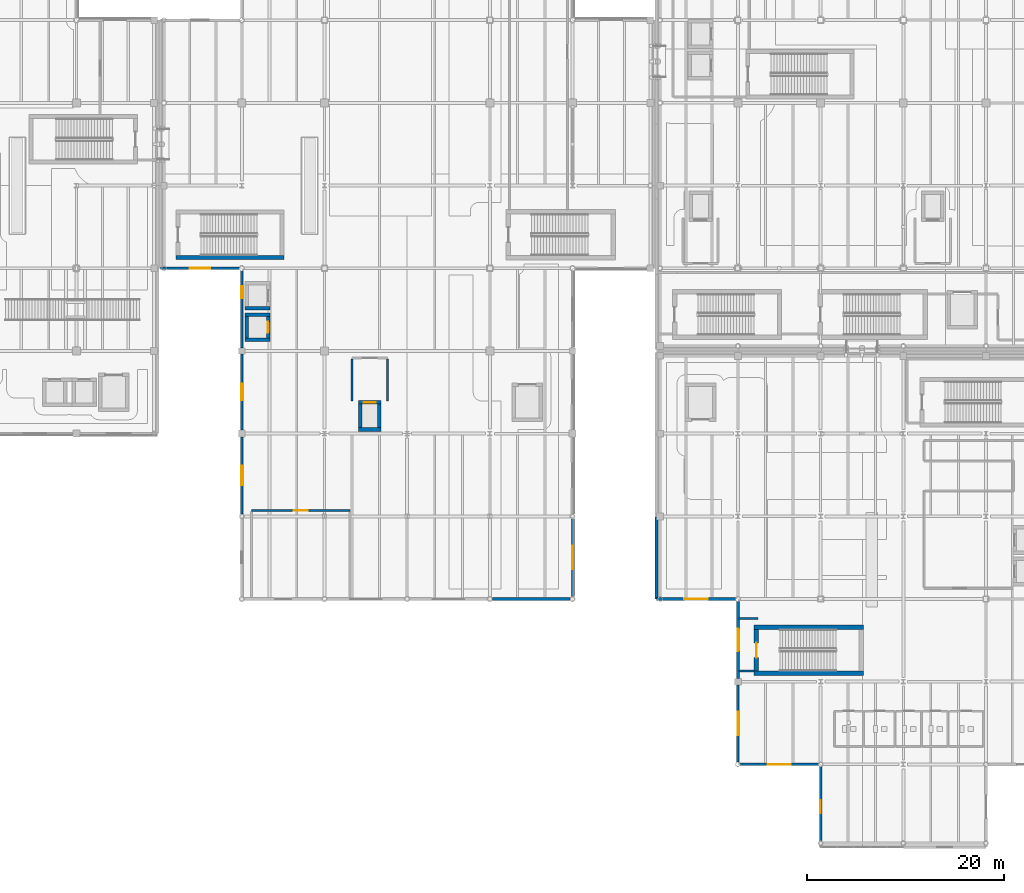
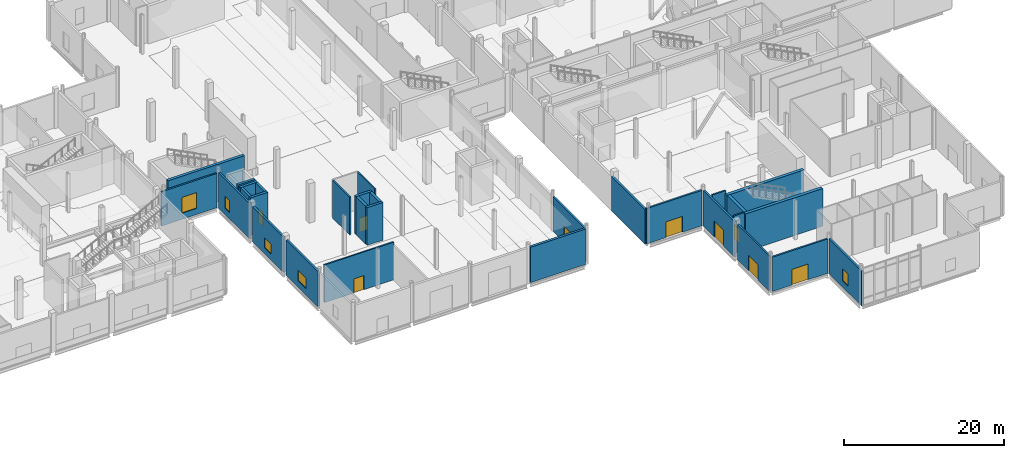
# One storey, part 45 of 85: 30 walls, 9 doors, 5 windows, 14 openings.
"""IFC4 building model written with IfcOpenShell, lengths in metres."""

from ifc_helpers import new_model, si_unit, direction, frame, frame_2d, origin, place, context, subcontext, project, spatial, rectangle, extrude, material, layer, layer_set, type_object, element, fill, save


model = new_model("IFC4")

# Units and contexts
model_context = context("Model", 3, precision=1e-05, world=origin(), true_north=direction((0.0, 1.0)))
body_context = subcontext(model_context, "Body", "Model", "MODEL_VIEW")
ifc_project = project(units=[si_unit("LENGTHUNIT", "METRE"), si_unit("AREAUNIT", "SQUARE_METRE"), si_unit("VOLUMEUNIT", "CUBIC_METRE"), si_unit("PLANEANGLEUNIT", "RADIAN"), si_unit("MASSUNIT", "GRAM", prefix="KILO"), si_unit("THERMODYNAMICTEMPERATUREUNIT", "KELVIN")], contexts=[model_context])

# Site, building, storey
site_placement = place(None, origin())
site = spatial("IfcSite", under=ifc_project, at=site_placement, CompositionType="ELEMENT")
building_placement = place(site_placement, origin())
building = spatial("IfcBuilding", under=site, at=building_placement, Name="Lustrewick Department Store", CompositionType="ELEMENT")
storey_placement = place(building_placement, origin())
storey = spatial("IfcBuildingStorey", under=building, at=storey_placement, Name="L01", CompositionType="ELEMENT", Elevation=0.0)

# Wall, opening, window
ifc_material_1 = material(Name="Precast concrete C40", Category="concrete")
ifc_layer_1 = layer(ifc_material_1, 0.239990234375, Name="Precast concrete C40")
ifc_layer_set_1 = layer_set([ifc_layer_1], Name="Precast concrete C40")
wall_type_1 = type_object("IfcWallType", Name="EW01", PredefinedType="STANDARD", material=ifc_layer_set_1)
wall_1_placement = place(storey_placement, frame((58.949951171875, 58.800048828125, 0.0), z_axis=(0.0, 0.0, 1.0), x_axis=(1.0, 0.0, 0.0)))
wall_1 = element("IfcWall", 1, at=wall_1_placement, inside=storey, type_object=wall_type_1, Name="L01 V2 Exterior Wall EW01", PredefinedType="STANDARD", context=body_context, shape_type="SweptSolid", body=[
    extrude(rectangle(XDim=8.0009765625, YDim=0.239990234375, at=frame_2d((4.00048828125, 0.0))), origin(), (0.0, 0.0, 1.0), 5.23095703125),
])
opening_1_placement = place(wall_1_placement, frame((2.950439453125, 0.0, 0.949951171875)))
opening_1 = element("IfcOpeningElement", 2, at=opening_1_placement, cuts=wall_1, Name="Opening WN17", PredefinedType="OPENING", context=body_context, shape_type="SweptSolid", body=[
    extrude(rectangle(XDim=2.10009765625, YDim=2.39990234375, at=frame_2d((1.050048828125, 1.199951171875))), frame((0.0, 0.1298828125, 0.0), z_axis=(0.0, -1.0, 0.0), x_axis=(1.0, 0.0, 0.0)), (0.0, 0.0, 1.0), 0.260009765625),
])
ifc_material_2 = material(Name="Thermally broken Low-E triple-glazed window", Category="glass")
window_type_1 = type_object("IfcWindowType", Name="WN17", PartitioningType="DOUBLE_PANEL_VERTICAL", PredefinedType="WINDOW", material=ifc_material_2)
window_1_placement = place(opening_1_placement, origin())
window_1 = element("IfcWindow", 3, at=window_1_placement, inside=storey, type_object=window_type_1, Name="L01 Art Nouveau Window WN17", OverallHeight=2.39990234375, OverallWidth=2.10009765625, PartitioningType="SINGLE_PANEL", PredefinedType="WINDOW", context=body_context, shape_type="SweptSolid", body=[
    extrude(rectangle(XDim=2.10009765625, YDim=2.39990234375, at=frame_2d((1.050048828125, 1.199951171875))), frame((0.0, 0.030029296875, 0.0), z_axis=(0.0, -1.0, 0.0), x_axis=(1.0, 0.0, 0.0)), (0.0, 0.0, 1.0), 0.06005859375),
])
fill(opening_1, window_1)

# Wall, opening, door
wall_2_placement = place(storey_placement, frame((117.60009765625, 16.455078125, 0.0), z_axis=(0.0, 0.0, 1.0), x_axis=(0.0, -1.0, 0.0)))
wall_2 = element("IfcWall", 4, at=wall_2_placement, inside=storey, type_object=wall_type_1, Name="L01 V3 Exterior Wall EW01", PredefinedType="STANDARD", context=body_context, shape_type="SweptSolid", body=[
    extrude(rectangle(XDim=7.83154296875, YDim=0.239990234375, at=frame_2d((3.915771484375, 0.0))), origin(), (0.0, 0.0, 1.0), 5.386962890625),
])
opening_2_placement = place(wall_2_placement, frame((2.7158203125, 0.0, 0.0)))
opening_2 = element("IfcOpeningElement", 5, at=opening_2_placement, cuts=wall_2, Name="Opening D-EX32", PredefinedType="OPENING", context=body_context, shape_type="SweptSolid", body=[
    extrude(rectangle(XDim=2.39990234375, YDim=2.39990234375, at=frame_2d((1.199951171875, 1.199951171875))), frame((0.0, 0.1298828125, 0.0), z_axis=(0.0, -1.0, 0.0), x_axis=(1.0, 0.0, 0.0)), (0.0, 0.0, 1.0), 0.260009765625),
])
ifc_material_3 = material(Name="Thermally broken glazed aluminium entrance door", Category="aluminium")
door_type_1 = type_object("IfcDoorType", Name="DT-02", OperationType="NOTDEFINED", PredefinedType="DOOR", material=ifc_material_3)
door_1_placement = place(opening_2_placement, frame((2.39990234375, 0.0, 0.0), z_axis=(0.0, 0.0, 1.0), x_axis=(-1.0, 0.0, 0.0)))
door_1 = element("IfcDoor", 6, at=door_1_placement, inside=storey, type_object=door_type_1, Name="L01 Pedestrian Final Exit Door D-EX32", OperationType="DOUBLE_DOOR_SINGLE_SWING", OverallHeight=2.39990234375, OverallWidth=2.39990234375, PredefinedType="DOOR", context=body_context, shape_type="SweptSolid", body=[
    extrude(rectangle(XDim=2.39990234375, YDim=2.39990234375, at=frame_2d((1.199951171875, 1.199951171875))), frame((0.0, 0.02490234375, 0.0), z_axis=(0.0, -1.0, 0.0), x_axis=(1.0, 0.0, 0.0)), (0.0, 0.0, 1.0), 0.050048828125),
])
fill(opening_2, door_1)

wall_3_placement = place(storey_placement, frame((117.823486328125, 8.39990234375, 0.0), z_axis=(0.0, 0.0, 1.0), x_axis=(1.0, 0.0, 0.0)))
wall_3 = element("IfcWall", 7, at=wall_3_placement, inside=storey, type_object=wall_type_1, Name="L01 V3 Exterior Wall EW01", PredefinedType="STANDARD", context=body_context, shape_type="SweptSolid", body=[
    extrude(rectangle(XDim=7.953125, YDim=0.239990234375, at=frame_2d((3.9765625, 0.0))), origin(), (0.0, 0.0, 1.0), 5.23095703125),
])
opening_3_placement = place(wall_3_placement, frame((2.826416015625, 0.0, 0.0)))
opening_3 = element("IfcOpeningElement", 8, at=opening_3_placement, cuts=wall_3, Name="Opening D-EX35", PredefinedType="OPENING", context=body_context, shape_type="SweptSolid", body=[
    extrude(rectangle(XDim=2.300048828125, YDim=2.39990234375, at=frame_2d((1.14990234375, 1.199951171875))), frame((0.0, 0.1298828125, 0.0), z_axis=(0.0, -1.0, 0.0), x_axis=(1.0, 0.0, 0.0)), (0.0, 0.0, 1.0), 0.260009765625),
])
door_type_2 = type_object("IfcDoorType", Name="DT-01", OperationType="NOTDEFINED", PredefinedType="DOOR", material=ifc_material_3)
door_2_placement = place(opening_3_placement, frame((2.300048828125, 0.0, 0.0), z_axis=(0.0, 0.0, 1.0), x_axis=(-1.0, 0.0, 0.0)))
door_2 = element("IfcDoor", 9, at=door_2_placement, inside=storey, type_object=door_type_2, Name="L01 Pedestrian Final Exit Door D-EX35", OperationType="DOUBLE_DOOR_SINGLE_SWING", OverallHeight=2.39990234375, OverallWidth=2.300048828125, PredefinedType="DOOR", context=body_context, shape_type="SweptSolid", body=[
    extrude(rectangle(XDim=2.300048828125, YDim=2.39990234375, at=frame_2d((1.14990234375, 1.199951171875))), frame((0.0, 0.02490234375, 0.0), z_axis=(0.0, -1.0, 0.0), x_axis=(1.0, 0.0, 0.0)), (0.0, 0.0, 1.0), 0.050048828125),
])
fill(opening_3, door_2)

ifc_layer_2 = layer(ifc_material_1, 0.260009765625, Name="Precast concrete C40")
ifc_layer_set_2 = layer_set([ifc_layer_2], Name="Precast concrete C40")
wall_type_2 = type_object("IfcWallType", Name="EW02", PredefinedType="STANDARD", material=ifc_layer_set_2)
wall_4_placement = place(storey_placement, frame((100.800048828125, 25.448974609375, 0.0), z_axis=(0.0, 0.0, 1.0), x_axis=(0.0, 1.0, 0.0)))
wall_4 = element("IfcWall", 10, at=wall_4_placement, inside=storey, type_object=wall_type_2, Name="L01 V2 Exterior Wall EW02", PredefinedType="STANDARD", context=body_context, shape_type="SweptSolid", body=[
    extrude(rectangle(XDim=7.927490234375, YDim=0.260009765625, at=frame_2d((3.9638671875, 0.0))), origin(), (0.0, 0.0, 1.0), 5.23095703125),
])
opening_4_placement = place(wall_4_placement, frame((2.763671875, 0.0, 0.0)))
opening_4 = element("IfcOpeningElement", 11, at=opening_4_placement, cuts=wall_4, Name="Opening D-EX02", PredefinedType="OPENING", context=body_context, shape_type="SweptSolid", body=[
    extrude(rectangle(XDim=2.39990234375, YDim=2.39990234375, at=frame_2d((1.199951171875, 1.199951171875))), frame((0.0, 0.14013671875, 0.0), z_axis=(0.0, -1.0, 0.0), x_axis=(1.0, 0.0, 0.0)), (0.0, 0.0, 1.0), 0.280029296875),
])
door_3_placement = place(opening_4_placement, frame((2.39990234375, 0.0, 0.0), z_axis=(0.0, 0.0, 1.0), x_axis=(-1.0, 0.0, 0.0)))
door_3 = element("IfcDoor", 12, at=door_3_placement, inside=storey, type_object=door_type_1, Name="L01 Pedestrian Final Exit Door D-EX02", OperationType="DOUBLE_DOOR_SINGLE_SWING", OverallHeight=2.39990234375, OverallWidth=2.39990234375, PredefinedType="DOOR", context=body_context, shape_type="SweptSolid", body=[
    extrude(rectangle(XDim=2.39990234375, YDim=2.39990234375, at=frame_2d((1.199951171875, 1.199951171875))), frame((0.0, 0.02490234375, 0.0), z_axis=(0.0, -1.0, 0.0), x_axis=(1.0, 0.0, 0.0)), (0.0, 0.0, 1.0), 0.050048828125),
])
fill(opening_4, door_3)

# Wall, opening, window
wall_5_placement = place(storey_placement, frame((67.199951171875, 58.551025390625, 0.0), z_axis=(0.0, 0.0, 1.0), x_axis=(0.0, -1.0, 0.0)))
wall_5 = element("IfcWall", 13, at=wall_5_placement, inside=storey, type_object=wall_type_2, Name="L01 V2 Exterior Wall EW02", PredefinedType="STANDARD", context=body_context, shape_type="SweptSolid", body=[
    extrude(rectangle(XDim=7.8310546875, YDim=0.260009765625, at=frame_2d((3.91552734375, 0.0))), origin(), (0.0, 0.0, 1.0), 5.386962890625),
])
opening_5_placement = place(wall_5_placement, frame((1.5927734375, 0.0, 0.949951171875)))
opening_5 = element("IfcOpeningElement", 14, at=opening_5_placement, cuts=wall_5, Name="Opening WN01", PredefinedType="OPENING", context=body_context, shape_type="SweptSolid", body=[
    extrude(rectangle(XDim=1.199951171875, YDim=1.800048828125, at=frame_2d((0.60009765625, 0.89990234375))), frame((0.0, 0.14013671875, 0.0), z_axis=(0.0, -1.0, 0.0), x_axis=(1.0, 0.0, 0.0)), (0.0, 0.0, 1.0), 0.280029296875),
])
window_type_2 = type_object("IfcWindowType", Name="WN01", PartitioningType="DOUBLE_PANEL_VERTICAL", PredefinedType="WINDOW", material=ifc_material_2)
window_2_placement = place(opening_5_placement, origin())
window_2 = element("IfcWindow", 15, at=window_2_placement, inside=storey, type_object=window_type_2, Name="L01 Art Nouveau Window WN01", OverallHeight=1.800048828125, OverallWidth=1.199951171875, PartitioningType="SINGLE_PANEL", PredefinedType="WINDOW", context=body_context, shape_type="SweptSolid", body=[
    extrude(rectangle(XDim=1.199951171875, YDim=1.800048828125, at=frame_2d((0.60009765625, 0.89990234375))), frame((0.0, 0.030029296875, 0.0), z_axis=(0.0, -1.0, 0.0), x_axis=(1.0, 0.0, 0.0)), (0.0, 0.0, 1.0), 0.06005859375),
])
fill(opening_5, window_2)

# Wall, opening, door
wall_6_placement = place(storey_placement, frame((109.35009765625, 25.199951171875, 0.0), z_axis=(0.0, 0.0, 1.0), x_axis=(1.0, 0.0, 0.0)))
wall_6 = element("IfcWall", 16, at=wall_6_placement, inside=storey, type_object=wall_type_2, Name="L01 V3 Exterior Wall EW02", PredefinedType="STANDARD", context=body_context, shape_type="SweptSolid", body=[
    extrude(rectangle(XDim=8.0009765625, YDim=0.260009765625, at=frame_2d((4.00048828125, 0.0))), origin(), (0.0, 0.0, 1.0), 5.386962890625),
])
opening_6_placement = place(wall_6_placement, frame((2.800537109375, 0.0, 0.0)))
opening_6 = element("IfcOpeningElement", 17, at=opening_6_placement, cuts=wall_6, Name="Opening D-EX26", PredefinedType="OPENING", context=body_context, shape_type="SweptSolid", body=[
    extrude(rectangle(XDim=2.39990234375, YDim=2.39990234375, at=frame_2d((1.199951171875, 1.199951171875))), frame((0.0, 0.14013671875, 0.0), z_axis=(0.0, -1.0, 0.0), x_axis=(1.0, 0.0, 0.0)), (0.0, 0.0, 1.0), 0.280029296875),
])
door_4_placement = place(opening_6_placement, frame((2.39990234375, 0.0, 0.0), z_axis=(0.0, 0.0, 1.0), x_axis=(-1.0, 0.0, 0.0)))
door_4 = element("IfcDoor", 18, at=door_4_placement, inside=storey, type_object=door_type_1, Name="L01 Pedestrian Final Exit Door D-EX26", OperationType="DOUBLE_DOOR_SINGLE_SWING", OverallHeight=2.39990234375, OverallWidth=2.39990234375, PredefinedType="DOOR", context=body_context, shape_type="SweptSolid", body=[
    extrude(rectangle(XDim=2.39990234375, YDim=2.39990234375, at=frame_2d((1.199951171875, 1.199951171875))), frame((0.0, 0.02490234375, 0.0), z_axis=(0.0, -1.0, 0.0), x_axis=(1.0, 0.0, 0.0)), (0.0, 0.0, 1.0), 0.050048828125),
])
fill(opening_6, door_4)

# Wall, opening, window
wall_7_placement = place(storey_placement, frame((126.0, 8.176513671875, 0.0), z_axis=(0.0, 0.0, 1.0), x_axis=(0.0, -1.0, 0.0)))
wall_7 = element("IfcWall", 19, at=wall_7_placement, inside=storey, type_object=wall_type_2, Name="L01 V3 Exterior Wall EW02", PredefinedType="STANDARD", context=body_context, shape_type="SweptSolid", body=[
    extrude(rectangle(XDim=8.176513671875, YDim=0.260009765625, at=frame_2d((4.08837890625, 0.0))), origin(), (0.0, 0.0, 1.0), 5.297119140625),
])
opening_7_placement = place(wall_7_placement, frame((3.413330078125, 0.0, 0.949951171875)))
opening_7 = element("IfcOpeningElement", 20, at=opening_7_placement, cuts=wall_7, Name="Opening WN02", PredefinedType="OPENING", context=body_context, shape_type="SweptSolid", body=[
    extrude(rectangle(XDim=1.35009765625, YDim=1.800048828125, at=frame_2d((0.675048828125, 0.89990234375))), frame((0.0, 0.14013671875, 0.0), z_axis=(0.0, -1.0, 0.0), x_axis=(1.0, 0.0, 0.0)), (0.0, 0.0, 1.0), 0.280029296875),
])
window_type_3 = type_object("IfcWindowType", Name="WN02", PartitioningType="DOUBLE_PANEL_VERTICAL", PredefinedType="WINDOW", material=ifc_material_2)
window_3_placement = place(opening_7_placement, origin())
window_3 = element("IfcWindow", 21, at=window_3_placement, inside=storey, type_object=window_type_3, Name="L01 Art Nouveau Window WN02", OverallHeight=1.800048828125, OverallWidth=1.35009765625, PartitioningType="SINGLE_PANEL", PredefinedType="WINDOW", context=body_context, shape_type="SweptSolid", body=[
    extrude(rectangle(XDim=1.35009765625, YDim=1.800048828125, at=frame_2d((0.675048828125, 0.89990234375))), frame((0.0, 0.030029296875, 0.0), z_axis=(0.0, -1.0, 0.0), x_axis=(1.0, 0.0, 0.0)), (0.0, 0.0, 1.0), 0.06005859375),
])
fill(opening_7, window_3)

ifc_layer_3 = layer(ifc_material_1, 0.280029296875, Name="Precast concrete C40")
ifc_layer_set_3 = layer_set([ifc_layer_3], Name="Precast concrete C40")
wall_type_3 = type_object("IfcWallType", Name="EW03", PredefinedType="STANDARD", material=ifc_layer_set_3)
wall_8_placement = place(storey_placement, frame((67.199951171875, 50.080078125, 0.0), z_axis=(0.0, 0.0, 1.0), x_axis=(0.0, -1.0, 0.0)))
wall_8 = element("IfcWall", 22, at=wall_8_placement, inside=storey, type_object=wall_type_3, Name="L01 V2 Exterior Wall EW03", PredefinedType="STANDARD", context=body_context, shape_type="SweptSolid", body=[
    extrude(rectangle(XDim=7.735107421875, YDim=0.280029296875, at=frame_2d((3.86767578125, 0.0))), origin(), (0.0, 0.0, 1.0), 5.386962890625),
])
opening_8_placement = place(wall_8_placement, frame((3.027587890625, 0.0, 0.949951171875)))
opening_8 = element("IfcOpeningElement", 23, at=opening_8_placement, cuts=wall_8, Name="Opening WN19", PredefinedType="OPENING", context=body_context, shape_type="SweptSolid", body=[
    extrude(rectangle(XDim=1.679931640625, YDim=1.5, at=frame_2d((0.83984375, 0.75))), frame((0.0, 0.14990234375, 0.0), z_axis=(0.0, -1.0, 0.0), x_axis=(1.0, 0.0, 0.0)), (0.0, 0.0, 1.0), 0.300048828125),
])
window_type_4 = type_object("IfcWindowType", Name="WN19", PartitioningType="DOUBLE_PANEL_VERTICAL", PredefinedType="WINDOW", material=ifc_material_2)
window_4_placement = place(opening_8_placement, origin())
window_4 = element("IfcWindow", 24, at=window_4_placement, inside=storey, type_object=window_type_4, Name="L01 Art Nouveau Window WN19", OverallHeight=1.5, OverallWidth=1.679931640625, PartitioningType="SINGLE_PANEL", PredefinedType="WINDOW", context=body_context, shape_type="SweptSolid", body=[
    extrude(rectangle(XDim=1.679931640625, YDim=1.5, at=frame_2d((0.83984375, 0.75))), frame((0.0, 0.030029296875, 0.0), z_axis=(0.0, -1.0, 0.0), x_axis=(1.0, 0.0, 0.0)), (0.0, 0.0, 1.0), 0.06005859375),
])
fill(opening_8, window_4)

wall_9_placement = place(storey_placement, frame((67.199951171875, 41.655029296875, 0.0), z_axis=(0.0, 0.0, 1.0), x_axis=(0.0, -1.0, 0.0)))
wall_9 = element("IfcWall", 25, at=wall_9_placement, inside=storey, type_object=wall_type_3, Name="L01 V2 Exterior Wall EW03", PredefinedType="STANDARD", context=body_context, shape_type="SweptSolid", body=[
    extrude(rectangle(XDim=7.83154296875, YDim=0.280029296875, at=frame_2d((3.915771484375, 0.0))), origin(), (0.0, 0.0, 1.0), 5.386962890625),
])
opening_9_placement = place(wall_9_placement, frame((2.915771484375, 0.0, 0.949951171875)))
opening_9 = element("IfcOpeningElement", 26, at=opening_9_placement, cuts=wall_9, Name="Opening WN20", PredefinedType="OPENING", context=body_context, shape_type="SweptSolid", body=[
    extrude(rectangle(XDim=2.0, YDim=1.60009765625, at=frame_2d((1.0, 0.800048828125))), frame((0.0, 0.14990234375, 0.0), z_axis=(0.0, -1.0, 0.0), x_axis=(1.0, 0.0, 0.0)), (0.0, 0.0, 1.0), 0.300048828125),
])
window_type_5 = type_object("IfcWindowType", Name="WN20", PartitioningType="DOUBLE_PANEL_VERTICAL", PredefinedType="WINDOW", material=ifc_material_2)
window_5_placement = place(opening_9_placement, origin())
window_5 = element("IfcWindow", 27, at=window_5_placement, inside=storey, type_object=window_type_5, Name="L01 Art Nouveau Window WN20", OverallHeight=1.60009765625, OverallWidth=2.0, PartitioningType="SINGLE_PANEL", PredefinedType="WINDOW", context=body_context, shape_type="SweptSolid", body=[
    extrude(rectangle(XDim=2.0, YDim=1.60009765625, at=frame_2d((1.0, 0.800048828125))), frame((0.0, 0.030029296875, 0.0), z_axis=(0.0, -1.0, 0.0), x_axis=(1.0, 0.0, 0.0)), (0.0, 0.0, 1.0), 0.06005859375),
])
fill(opening_9, window_5)

# Wall, opening, door
wall_10_placement = place(storey_placement, frame((117.60009765625, 24.950927734375, 0.0), z_axis=(0.0, 0.0, 1.0), x_axis=(0.0, -1.0, 0.0)))
wall_10 = element("IfcWall", 28, at=wall_10_placement, inside=storey, type_object=wall_type_3, Name="L01 V3 Exterior Wall EW03", PredefinedType="STANDARD", context=body_context, shape_type="SweptSolid", body=[
    extrude(rectangle(XDim=7.805908203125, YDim=0.280029296875, at=frame_2d((3.90283203125, 0.0))), origin(), (0.0, 0.0, 1.0), 5.386962890625),
])
opening_10_placement = place(wall_10_placement, frame((2.7529296875, 0.0, 0.0)))
opening_10 = element("IfcOpeningElement", 29, at=opening_10_placement, cuts=wall_10, Name="Opening D-EX29", PredefinedType="OPENING", context=body_context, shape_type="SweptSolid", body=[
    extrude(rectangle(XDim=2.300048828125, YDim=2.39990234375, at=frame_2d((1.14990234375, 1.199951171875))), frame((0.0, 0.14990234375, 0.0), z_axis=(0.0, -1.0, 0.0), x_axis=(1.0, 0.0, 0.0)), (0.0, 0.0, 1.0), 0.300048828125),
])
door_5_placement = place(opening_10_placement, frame((2.300048828125, 0.0, 0.0), z_axis=(0.0, 0.0, 1.0), x_axis=(-1.0, 0.0, 0.0)))
door_5 = element("IfcDoor", 30, at=door_5_placement, inside=storey, type_object=door_type_2, Name="L01 Pedestrian Final Exit Door D-EX29", OperationType="DOUBLE_DOOR_SINGLE_SWING", OverallHeight=2.39990234375, OverallWidth=2.300048828125, PredefinedType="DOOR", context=body_context, shape_type="SweptSolid", body=[
    extrude(rectangle(XDim=2.300048828125, YDim=2.39990234375, at=frame_2d((1.14990234375, 1.199951171875))), frame((0.0, 0.02490234375, 0.0), z_axis=(0.0, -1.0, 0.0), x_axis=(1.0, 0.0, 0.0)), (0.0, 0.0, 1.0), 0.050048828125),
])
fill(opening_10, door_5)

# Walls
ifc_layer_4 = layer(ifc_material_1, 0.300048828125, Name="Precast concrete C40")
ifc_layer_set_4 = layer_set([ifc_layer_4], Name="Precast concrete C40")
wall_type_4 = type_object("IfcWallType", Name="EW04", PredefinedType="STANDARD", material=ifc_layer_set_4)
wall_11_placement = place(storey_placement, frame((109.35009765625, 33.550048828125, 0.0), z_axis=(0.0, 0.0, 1.0), x_axis=(0.0, -1.0, 0.0)))
element("IfcWall", 31, at=wall_11_placement, inside=storey, type_object=wall_type_4, Name="L01 V3 Exterior Wall EW04", PredefinedType="STANDARD", context=body_context, shape_type="SweptSolid", body=[
    extrude(rectangle(XDim=8.35009765625, YDim=0.300048828125, at=frame_2d((4.175048828125, 0.0))), origin(), (0.0, 0.0, 1.0), 5.23095703125),
])
ifc_layer_5 = layer(ifc_material_1, 0.330078125, Name="Precast concrete C40")
ifc_layer_set_5 = layer_set([ifc_layer_5], Name="Precast concrete C40")
wall_type_5 = type_object("IfcWallType", Name="EW05", PredefinedType="STANDARD", material=ifc_layer_set_5)
wall_12_placement = place(storey_placement, frame((92.64892578125, 25.199951171875, 0.0), z_axis=(0.0, 0.0, 1.0), x_axis=(1.0, 0.0, 0.0)))
element("IfcWall", 32, at=wall_12_placement, inside=storey, type_object=wall_type_5, Name="L01 V2 Exterior Wall EW05", PredefinedType="STANDARD", context=body_context, shape_type="SweptSolid", body=[
    extrude(rectangle(XDim=7.902099609375, YDim=0.330078125, at=frame_2d((3.951171875, 0.0))), origin(), (0.0, 0.0, 1.0), 5.386962890625),
])
ifc_material_4 = material(Name="Autoclaved aerated concrete blockwork and fire board", Category="masonry")
ifc_layer_6 = layer(ifc_material_4, 0.205078125, Name="Autoclaved aerated concrete blockwork and fire board")
ifc_layer_set_6 = layer_set([ifc_layer_6], Name="Autoclaved aerated concrete blockwork and fire board")
wall_type_6 = type_object("IfcWallType", Name="PW02", PredefinedType="PARTITIONING", material=ifc_layer_set_6)
for number, where, z_axis, x_axis, name in (
    (33, (82.0, 45.300048828125, 0.0), (0.0, 0.0, 1.0), (0.0, 1.0, 0.0), "L01 Firefighting Lift Lobby FFL-02 PW02"),
    (34, (78.39990234375, 49.6025390625, 0.0), (0.0, 0.0, 1.0), (0.0, -1.0, 0.0), "L01 Firefighting Lift Lobby FFL-02 PW02"),
):
    element("IfcWall", number, at=place(storey_placement, frame(where, z_axis=z_axis, x_axis=x_axis)), inside=storey, type_object=wall_type_6, Name=name, PredefinedType="PARTITIONING", context=body_context, shape_type="SweptSolid", body=[
        extrude(rectangle(XDim=4.302490234375, YDim=0.205078125, at=frame_2d((2.1513671875, 0.0))), origin(), (0.0, 0.0, 1.0), 5.7451171875),
    ])

# Wall, opening, door
wall_13_placement = place(storey_placement, frame((78.199951171875, 34.199951171875, 0.0), z_axis=(0.0, 0.0, 1.0), x_axis=(-1.0, 0.0, 0.0)))
wall_13 = element("IfcWall", 35, at=wall_13_placement, inside=storey, type_object=wall_type_6, Name="L01 Fire Control Room PW02", PredefinedType="PARTITIONING", context=body_context, shape_type="SweptSolid", body=[
    extrude(rectangle(XDim=10.0, YDim=0.205078125, at=frame_2d((5.0, 0.0))), origin(), (0.0, 0.0, 1.0), 5.7451171875),
])
opening_11_placement = place(wall_13_placement, frame((4.300048828125, 0.0, 0.0)))
opening_11 = element("IfcOpeningElement", 36, at=opening_11_placement, cuts=wall_13, Name="Opening D-L01-050", PredefinedType="OPENING", context=body_context, shape_type="SweptSolid", body=[
    extrude(rectangle(XDim=1.39990234375, YDim=2.14990234375, at=frame_2d((0.699951171875, 1.074951171875))), frame((0.0, 0.112548828125, 0.0), z_axis=(0.0, -1.0, 0.0), x_axis=(1.0, 0.0, 0.0)), (0.0, 0.0, 1.0), 0.22509765625),
])
ifc_material_5 = material(Name="Steel fire door Class B EI 60", Category="steel")
door_type_3 = type_object("IfcDoorType", Name="DT-08", OperationType="NOTDEFINED", PredefinedType="DOOR", material=ifc_material_5)
door_6_placement = place(opening_11_placement, origin())
door_6 = element("IfcDoor", 37, at=door_6_placement, inside=storey, type_object=door_type_3, Name="L01 Fire Control Room Door D-L01-050", OperationType="SINGLE_SWING_LEFT", OverallHeight=2.14990234375, OverallWidth=1.39990234375, PredefinedType="DOOR", context=body_context, shape_type="SweptSolid", body=[
    extrude(rectangle(XDim=1.39990234375, YDim=2.14990234375, at=frame_2d((0.699951171875, 1.074951171875))), frame((0.0, 0.02490234375, 0.0), z_axis=(0.0, -1.0, 0.0), x_axis=(1.0, 0.0, 0.0)), (0.0, 0.0, 1.0), 0.050048828125),
])
fill(opening_11, door_6)

# Walls
wall_14_placement = place(storey_placement, frame((119.64990234375, 23.199951171875, 0.0), z_axis=(0.0, 0.0, 1.0), x_axis=(-1.0, 0.0, 0.0)))
element("IfcWall", 38, at=wall_14_placement, inside=storey, type_object=wall_type_6, Name="L01 Protected Exit Passageway ST07 PW02", PredefinedType="PARTITIONING", context=body_context, shape_type="SweptSolid", body=[
    extrude(rectangle(XDim=1.914794921875, YDim=0.205078125, at=frame_2d((0.95751953125, 0.0))), origin(), (0.0, 0.0, 1.0), 5.7451171875),
])
wall_15_placement = place(storey_placement, frame((117.735107421875, 17.89990234375, 0.0), z_axis=(0.0, 0.0, 1.0), x_axis=(1.0, 0.0, 0.0)))
element("IfcWall", 39, at=wall_15_placement, inside=storey, type_object=wall_type_6, Name="L01 Protected Exit Passageway ST07 PW02", PredefinedType="PARTITIONING", context=body_context, shape_type="SweptSolid", body=[
    extrude(rectangle(XDim=1.514892578125, YDim=0.205078125, at=frame_2d((0.75732421875, 0.0))), origin(), (0.0, 0.0, 1.0), 5.7451171875),
])
ifc_material_6 = material(Name="Concrete C50", Category="concrete")
ifc_layer_7 = layer(ifc_material_6, 0.449951171875, Name="Concrete C50")
ifc_layer_set_7 = layer_set([ifc_layer_7], Name="Concrete C50")
wall_type_7 = type_object("IfcWallType", Name="SW01", PredefinedType="SHEAR", material=ifc_layer_set_7)
for number, where, z_axis, x_axis, name in (
    (40, (119.25, 17.675048828125, 0.0), (0.0, 0.0, 1.0), (1.0, 0.0, 0.0), "L01 Stair Core ST07 Shear Wall S"),
    (41, (130.35009765625, 22.324951171875, 0.0), (0.0, 0.0, 1.0), (-1.0, 0.0, 0.0), "L01 Stair Core ST07 Shear Wall N"),
):
    element("IfcWall", number, at=place(storey_placement, frame(where, z_axis=z_axis, x_axis=x_axis)), inside=storey, type_object=wall_type_7, Name=name, PredefinedType="SHEAR", context=body_context, shape_type="SweptSolid", body=[
        extrude(rectangle(XDim=11.10009765625, YDim=0.449951171875, at=frame_2d((5.550048828125, 0.0))), origin(), (0.0, 0.0, 1.0), 5.7451171875),
    ])

# Wall, opening, door
wall_16_placement = place(storey_placement, frame((119.47509765625, 22.10009765625, 0.0), z_axis=(0.0, 0.0, 1.0), x_axis=(0.0, -1.0, 0.0)))
wall_16 = element("IfcWall", 42, at=wall_16_placement, inside=storey, type_object=wall_type_7, Name="L01 Stair Core ST07 Shear Wall W", PredefinedType="SHEAR", context=body_context, shape_type="SweptSolid", body=[
    extrude(rectangle(XDim=4.2001953125, YDim=0.449951171875, at=frame_2d((2.10009765625, 0.0))), origin(), (0.0, 0.0, 1.0), 5.7451171875),
])
opening_12_placement = place(wall_16_placement, frame((1.35009765625, 0.0, 0.0)))
opening_12 = element("IfcOpeningElement", 43, at=opening_12_placement, cuts=wall_16, Name="Opening D-L01-007", PredefinedType="OPENING", context=body_context, shape_type="SweptSolid", body=[
    extrude(rectangle(XDim=1.5, YDim=2.14990234375, at=frame_2d((0.75, 1.074951171875))), frame((0.0, 0.23486328125, 0.0), z_axis=(0.0, -1.0, 0.0), x_axis=(1.0, 0.0, 0.0)), (0.0, 0.0, 1.0), 0.469970703125),
])
door_type_4 = type_object("IfcDoorType", Name="DT-07", OperationType="NOTDEFINED", PredefinedType="DOOR", material=ifc_material_5)
door_7_placement = place(opening_12_placement, frame((1.5, 0.0, 0.0), z_axis=(0.0, 0.0, 1.0), x_axis=(-1.0, 0.0, 0.0)))
door_7 = element("IfcDoor", 44, at=door_7_placement, inside=storey, type_object=door_type_4, Name="L01 Smoke-Proof Stair ST07 Fire Door", OperationType="SINGLE_SWING_LEFT", OverallHeight=2.14990234375, OverallWidth=1.5, PredefinedType="DOOR", context=body_context, shape_type="SweptSolid", body=[
    extrude(rectangle(XDim=1.5, YDim=2.14990234375, at=frame_2d((0.75, 1.074951171875))), frame((0.0, 0.02490234375, 0.0), z_axis=(0.0, -1.0, 0.0), x_axis=(1.0, 0.0, 0.0)), (0.0, 0.0, 1.0), 0.050048828125),
])
fill(opening_12, door_7)

# Walls
ifc_layer_8 = layer(ifc_material_6, 0.39990234375, Name="Concrete C50")
ifc_layer_set_8 = layer_set([ifc_layer_8], Name="Concrete C50")
wall_type_8 = type_object("IfcWallType", Name="SW02", PredefinedType="SHEAR", material=ifc_layer_set_8)
wall_17_placement = place(storey_placement, frame((60.5, 59.89990234375, 0.0), z_axis=(0.0, 0.0, 1.0), x_axis=(1.0, 0.0, 0.0)))
element("IfcWall", 45, at=wall_17_placement, inside=storey, type_object=wall_type_8, Name="L01 Stair Core ST04 Shear Wall S", PredefinedType="SHEAR", context=body_context, shape_type="SweptSolid", body=[
    extrude(rectangle(XDim=11.0, YDim=0.39990234375, at=frame_2d((5.5, 0.0))), origin(), (0.0, 0.0, 1.0), 5.7451171875),
])
ifc_material_7 = material(Name="Concrete C40", Category="concrete")
ifc_layer_9 = layer(ifc_material_7, 0.360107421875, Name="Concrete C40")
ifc_layer_set_9 = layer_set([ifc_layer_9], Name="Concrete C40")
wall_type_9 = type_object("IfcWallType", Name="SW04", PredefinedType="SHEAR", material=ifc_layer_set_9)
wall_18_placement = place(storey_placement, frame((79.0400390625, 42.419921875, 0.0), z_axis=(0.0, 0.0, 1.0), x_axis=(1.0, 0.0, 0.0)))
element("IfcWall", 46, at=wall_18_placement, inside=storey, type_object=wall_type_9, Name="L01 Lift FFL-02 Shaft Wall -Y", PredefinedType="SHEAR", context=body_context, shape_type="SweptSolid", body=[
    extrude(rectangle(XDim=2.320068359375, YDim=0.360107421875, at=frame_2d((1.16015625, 0.0))), origin(), (0.0, 0.0, 1.0), 5.7451171875),
])
wall_19_placement = place(storey_placement, frame((81.179931640625, 42.60009765625, 0.0), z_axis=(0.0, 0.0, 1.0), x_axis=(0.0, 1.0, 0.0)))
element("IfcWall", 47, at=wall_19_placement, inside=storey, type_object=wall_type_9, Name="L01 Lift FFL-02 Shaft Wall +X", PredefinedType="SHEAR", context=body_context, shape_type="SweptSolid", body=[
    extrude(rectangle(XDim=2.39990234375, YDim=0.360107421875, at=frame_2d((1.199951171875, 0.0))), origin(), (0.0, 0.0, 1.0), 5.7451171875),
])

# Wall, opening, door
wall_20_placement = place(storey_placement, frame((81.360107421875, 45.179931640625, 0.0), z_axis=(0.0, 0.0, 1.0), x_axis=(-1.0, 0.0, 0.0)))
wall_20 = element("IfcWall", 48, at=wall_20_placement, inside=storey, type_object=wall_type_9, Name="L01 Lift FFL-02 Shaft Wall +Y", PredefinedType="SHEAR", context=body_context, shape_type="SweptSolid", body=[
    extrude(rectangle(XDim=2.320068359375, YDim=0.360107421875, at=frame_2d((1.16015625, 0.0))), origin(), (0.0, 0.0, 1.0), 5.7451171875),
])
opening_13_placement = place(wall_20_placement, frame((0.534912109375, 0.0, 0.0)))
opening_13 = element("IfcOpeningElement", 49, at=opening_13_placement, cuts=wall_20, Name="Opening LD-L01-02", PredefinedType="OPENING", context=body_context, shape_type="SweptSolid", body=[
    extrude(rectangle(XDim=1.25, YDim=2.199951171875, at=frame_2d((0.625, 1.10009765625))), frame((0.0, 0.18994140625, 0.0), z_axis=(0.0, -1.0, 0.0), x_axis=(1.0, 0.0, 0.0)), (0.0, 0.0, 1.0), 0.380126953125),
])
ifc_material_8 = material(Name="Stainless steel firefighting lift landing door EI 90", Category="steel")
door_type_5 = type_object("IfcDoorType", Name="DT-15", OperationType="NOTDEFINED", PredefinedType="DOOR", material=ifc_material_8)
door_8_placement = place(opening_13_placement, frame((1.25, 0.0, 0.0), z_axis=(0.0, 0.0, 1.0), x_axis=(-1.0, 0.0, 0.0)))
door_8 = element("IfcDoor", 50, at=door_8_placement, inside=storey, type_object=door_type_5, Name="L01 Lift FFL-02 Sliding Landing Door LD-L01-02", OperationType="DOUBLE_DOOR_SLIDING", OverallHeight=2.199951171875, OverallWidth=1.25, PredefinedType="DOOR", context=body_context, shape_type="SweptSolid", body=[
    extrude(rectangle(XDim=1.25, YDim=2.199951171875, at=frame_2d((0.625, 1.10009765625))), frame((0.0, 0.02490234375, 0.0), z_axis=(0.0, -1.0, 0.0), x_axis=(1.0, 0.0, 0.0)), (0.0, 0.0, 1.0), 0.050048828125),
])
fill(opening_13, door_8)

# Walls
wall_21_placement = place(storey_placement, frame((79.219970703125, 45.0, 0.0), z_axis=(0.0, 0.0, 1.0), x_axis=(0.0, -1.0, 0.0)))
element("IfcWall", 51, at=wall_21_placement, inside=storey, type_object=wall_type_9, Name="L01 Lift FFL-02 Shaft Wall -X", PredefinedType="SHEAR", context=body_context, shape_type="SweptSolid", body=[
    extrude(rectangle(XDim=2.39990234375, YDim=0.360107421875, at=frame_2d((1.199951171875, 0.0))), origin(), (0.0, 0.0, 1.0), 5.7451171875),
])
wall_22_placement = place(storey_placement, frame((67.5400390625, 51.52001953125, 0.0), z_axis=(0.0, 0.0, 1.0), x_axis=(1.0, 0.0, 0.0)))
element("IfcWall", 52, at=wall_22_placement, inside=storey, type_object=wall_type_9, Name="L01 Lift PL-03 Shaft Wall -Y", PredefinedType="SHEAR", context=body_context, shape_type="SweptSolid", body=[
    extrude(rectangle(XDim=2.52001953125, YDim=0.360107421875, at=frame_2d((1.260009765625, 0.0))), origin(), (0.0, 0.0, 1.0), 5.7451171875),
])

# Wall, opening, door
wall_23_placement = place(storey_placement, frame((69.8798828125, 51.699951171875, 0.0), z_axis=(0.0, 0.0, 1.0), x_axis=(0.0, 1.0, 0.0)))
wall_23 = element("IfcWall", 53, at=wall_23_placement, inside=storey, type_object=wall_type_9, Name="L01 Lift PL-03 Shaft Wall +X", PredefinedType="SHEAR", context=body_context, shape_type="SweptSolid", body=[
    extrude(rectangle(XDim=2.199951171875, YDim=0.360107421875, at=frame_2d((1.10009765625, 0.0))), origin(), (0.0, 0.0, 1.0), 5.7451171875),
])
opening_14_placement = place(wall_23_placement, frame((0.52490234375, 0.0, 0.0)))
opening_14 = element("IfcOpeningElement", 54, at=opening_14_placement, cuts=wall_23, Name="Opening LD-L01-07", PredefinedType="OPENING", context=body_context, shape_type="SweptSolid", body=[
    extrude(rectangle(XDim=1.14990234375, YDim=2.199951171875, at=frame_2d((0.574951171875, 1.10009765625))), frame((0.0, 0.18994140625, 0.0), z_axis=(0.0, -1.0, 0.0), x_axis=(1.0, 0.0, 0.0)), (0.0, 0.0, 1.0), 0.380126953125),
])
ifc_material_9 = material(Name="Brushed bronze passenger lift landing door EI 60", Category="steel")
door_type_6 = type_object("IfcDoorType", Name="DT-16", OperationType="NOTDEFINED", PredefinedType="DOOR", material=ifc_material_9)
door_9_placement = place(opening_14_placement, frame((1.14990234375, 0.0, 0.0), z_axis=(0.0, 0.0, 1.0), x_axis=(-1.0, 0.0, 0.0)))
door_9 = element("IfcDoor", 55, at=door_9_placement, inside=storey, type_object=door_type_6, Name="L01 Lift PL-03 Sliding Landing Door LD-L01-07", OperationType="DOUBLE_DOOR_SLIDING", OverallHeight=2.199951171875, OverallWidth=1.14990234375, PredefinedType="DOOR", context=body_context, shape_type="SweptSolid", body=[
    extrude(rectangle(XDim=1.14990234375, YDim=2.199951171875, at=frame_2d((0.574951171875, 1.10009765625))), frame((0.0, 0.02490234375, 0.0), z_axis=(0.0, -1.0, 0.0), x_axis=(1.0, 0.0, 0.0)), (0.0, 0.0, 1.0), 0.050048828125),
])
fill(opening_14, door_9)

# Walls
wall_24_placement = place(storey_placement, frame((70.06005859375, 54.080078125, 0.0), z_axis=(0.0, 0.0, 1.0), x_axis=(-1.0, 0.0, 0.0)))
element("IfcWall", 56, at=wall_24_placement, inside=storey, type_object=wall_type_9, Name="L01 Lift PL-03 Shaft Wall +Y", PredefinedType="SHEAR", context=body_context, shape_type="SweptSolid", body=[
    extrude(rectangle(XDim=2.52001953125, YDim=0.360107421875, at=frame_2d((1.260009765625, 0.0))), origin(), (0.0, 0.0, 1.0), 5.7451171875),
])
wall_25_placement = place(storey_placement, frame((67.719970703125, 53.89990234375, 0.0), z_axis=(0.0, 0.0, 1.0), x_axis=(0.0, -1.0, 0.0)))
element("IfcWall", 57, at=wall_25_placement, inside=storey, type_object=wall_type_9, Name="L01 Lift PL-03 Shaft Wall -X", PredefinedType="SHEAR", context=body_context, shape_type="SweptSolid", body=[
    extrude(rectangle(XDim=2.199951171875, YDim=0.360107421875, at=frame_2d((1.10009765625, 0.0))), origin(), (0.0, 0.0, 1.0), 5.7451171875),
])
wall_26_placement = place(storey_placement, frame((67.5400390625, 54.719970703125, 0.0), z_axis=(0.0, 0.0, 1.0), x_axis=(1.0, 0.0, 0.0)))
element("IfcWall", 58, at=wall_26_placement, inside=storey, type_object=wall_type_9, Name="L01 Lift PL-04 Shaft Wall -Y", PredefinedType="SHEAR", context=body_context, shape_type="SweptSolid", body=[
    extrude(rectangle(XDim=2.52001953125, YDim=0.360107421875, at=frame_2d((1.260009765625, 0.0))), origin(), (0.0, 0.0, 1.0), 5.7451171875),
])

save(model, "model.ifc")
